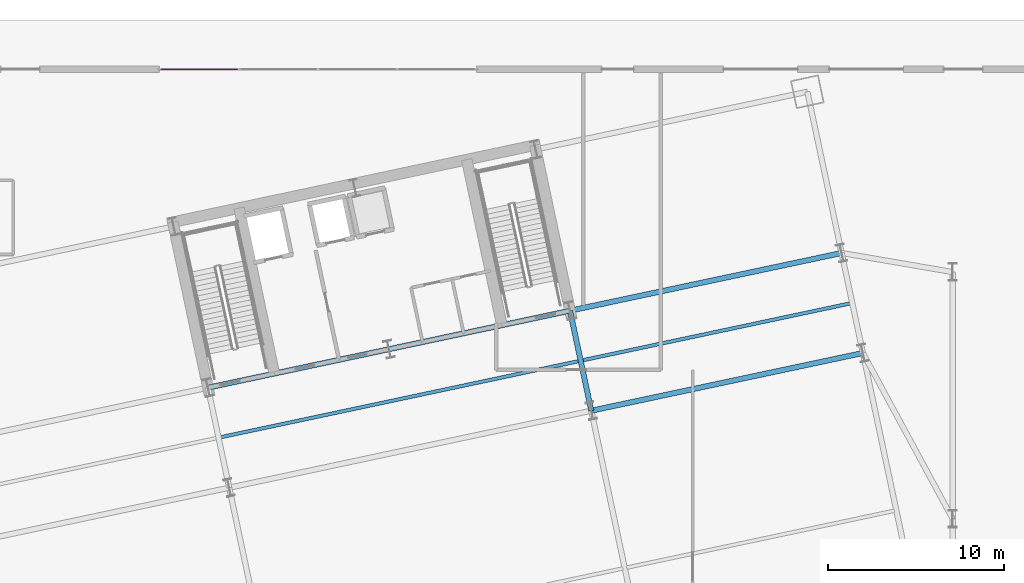
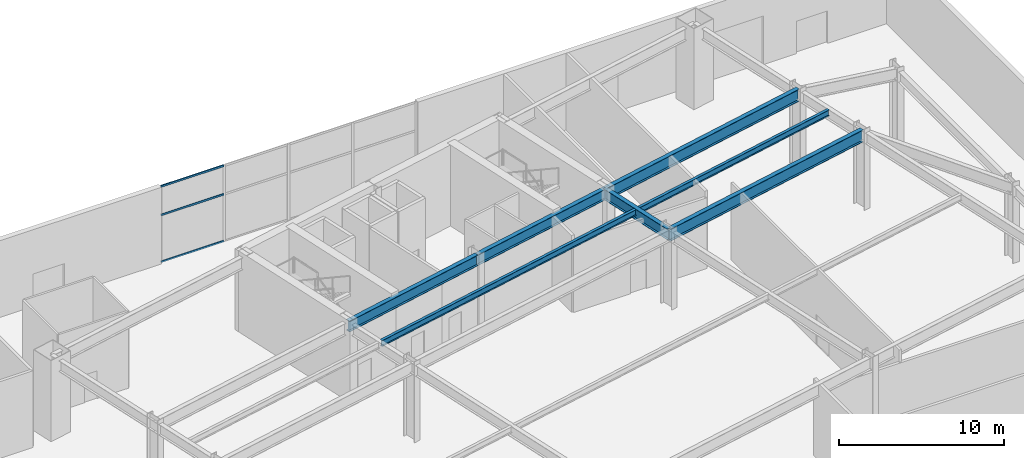
# One storey, part 16 of 30: 7 beams, 3 members, 1 element without a shape of its own.
"""IFC4 building model written with IfcOpenShell, lengths in metres."""

from ifc_helpers import new_model, si_unit, direction, frame, origin, origin_2d, place, context, subcontext, project, spatial, hollow_rectangle, i_section, extrude, material, layer, layer_set, material_profile, profile_set, type_object, element, aggregate, save


model = new_model("IFC4")

# Units and contexts
model_context = context("Model", 3, precision=1e-05, world=origin(), true_north=direction((0.0, 1.0)))
body_context = subcontext(model_context, "Body", "Model", "MODEL_VIEW")
ifc_project = project(units=[si_unit("LENGTHUNIT", "METRE"), si_unit("AREAUNIT", "SQUARE_METRE"), si_unit("VOLUMEUNIT", "CUBIC_METRE"), si_unit("PLANEANGLEUNIT", "RADIAN"), si_unit("MASSUNIT", "GRAM", prefix="KILO")], contexts=[model_context])

# Site, building, storey
site_placement = place(None, origin())
site = spatial("IfcSite", under=ifc_project, at=site_placement, CompositionType="ELEMENT")
building_placement = place(site_placement, origin())
building = spatial("IfcBuilding", under=site, at=building_placement, Name="Haevon Station Towers", CompositionType="ELEMENT")
storey_placement = place(building_placement, origin())
storey = spatial("IfcBuildingStorey", under=building, at=storey_placement, Name="L00", CompositionType="ELEMENT", Elevation=0.0)

# Beams
ifc_material_1 = material(Name="Steel S355", Category="steel")
ifc_material_profile_1 = material_profile(ifc_material_1, i_section(OverallWidth=0.199951171875, OverallDepth=0.449951171875, WebThickness=0.009033203125, FlangeThickness=0.013916015625, at=origin_2d()), Name="H-450x200x9x14")
ifc_profile_set_1 = profile_set([ifc_material_profile_1], Name="Steel S355")
beam_type_1 = type_object("IfcBeamType", Name="BM-J450", PredefinedType="JOIST", material=ifc_profile_set_1)
beam_1_placement = place(storey_placement, frame((99.462890625, 34.628662109375, 5.47509765625), z_axis=(0.978148548197, 0.207907233306, 0.0), x_axis=(-0.207907233306, 0.978148548197, 0.0)))
element("IfcBeam", 1, at=beam_1_placement, inside=storey, type_object=beam_type_1, Name="BM-T2J-L00-02-02", PredefinedType="JOIST", context=body_context, shape_type="SweptSolid", body=[
    extrude(i_section(OverallWidth=0.199951171875, OverallDepth=0.449951171875, WebThickness=0.009033203125, FlangeThickness=0.013916015625, at=origin_2d()), origin(), (0.0, 0.0, 1.0), 20.780029296875),
])
beam_2_placement = place(storey_placement, frame((120.00390625, 38.994873046875, 5.47509765625), z_axis=(0.978149141128, 0.207904443699, 0.0), x_axis=(-0.207904443699, 0.978149141128, 0.0)))
element("IfcBeam", 2, at=beam_2_placement, inside=storey, type_object=beam_type_1, Name="BM-T2J-L00-02-03", PredefinedType="JOIST", context=body_context, shape_type="SweptSolid", body=[
    extrude(i_section(OverallWidth=0.199951171875, OverallDepth=0.449951171875, WebThickness=0.009033203125, FlangeThickness=0.013916015625, at=origin_2d()), origin(), (0.0, 0.0, 1.0), 15.530029296875),
])
ifc_material_profile_2 = material_profile(ifc_material_1, i_section(OverallWidth=0.300048828125, OverallDepth=0.800048828125, WebThickness=0.013916015625, FlangeThickness=0.02587890625, at=origin_2d()), Name="H-800x300x14x26")
ifc_profile_set_2 = profile_set([ifc_material_profile_2], Name="Steel S355")
beam_type_2 = type_object("IfcBeamType", Name="BM-PG800", PredefinedType="BEAM", material=ifc_profile_set_2)
for number, where, z_axis, x_axis, name in (
    (3, (98.75244140625, 37.4423828125, 5.300048828125), (0.978146794194, 0.207915485254, 0.0), (-0.207915485254, 0.978146794194, 0.0), "BM-T2U-L00-03-02"),
    (4, (109.02294921875, 39.62548828125, 5.300048828125), (0.978146794194, 0.207915485254, 0.0), (-0.207915485254, 0.978146794194, 0.0), "BM-T2U-L00-03-03"),
):
    element("IfcBeam", number, at=place(storey_placement, frame(where, z_axis=z_axis, x_axis=x_axis)), inside=storey, type_object=beam_type_2, Name=name, PredefinedType="BEAM", context=body_context, shape_type="SweptSolid", body=[
        extrude(i_section(OverallWidth=0.300048828125, OverallDepth=0.800048828125, WebThickness=0.013916015625, FlangeThickness=0.02587890625, at=origin_2d()), origin(), (0.0, 0.0, 1.0), 10.5),
    ])
beam_3_placement = place(storey_placement, frame((120.499267578125, 36.13525390625, 5.300048828125), z_axis=(-0.207896009217, 0.97815093383, 0.0), x_axis=(-0.97815093383, -0.207896009217, 0.0)))
element("IfcBeam", 5, at=beam_3_placement, inside=storey, type_object=beam_type_2, Name="BM-T2V-L00-04-02", PredefinedType="BEAM", context=body_context, shape_type="SweptSolid", body=[
    extrude(i_section(OverallWidth=0.300048828125, OverallDepth=0.800048828125, WebThickness=0.013916015625, FlangeThickness=0.02587890625, at=origin_2d()), origin(), (0.0, 0.0, 1.0), 5.800048828125),
])
ifc_material_profile_3 = material_profile(ifc_material_1, i_section(OverallWidth=0.300048828125, OverallDepth=0.89990234375, WebThickness=0.01611328125, FlangeThickness=0.028076171875, at=origin_2d()), Name="H-900x300x16x28")
ifc_profile_set_3 = profile_set([ifc_material_profile_3], Name="Steel S355")
beam_type_3 = type_object("IfcBeamType", Name="BM-PG900", PredefinedType="BEAM", material=ifc_profile_set_3)
beam_4_placement = place(storey_placement, frame((120.499267578125, 36.13525390625, 5.25), z_axis=(0.978147464271, 0.207912332825, 0.0), x_axis=(-0.207912332825, 0.978147464271, 0.0)))
element("IfcBeam", 6, at=beam_4_placement, inside=storey, type_object=beam_type_3, Name="BM-T2U-L00-02-04", PredefinedType="BEAM", context=body_context, shape_type="SweptSolid", body=[
    extrude(i_section(OverallWidth=0.300048828125, OverallDepth=0.89990234375, WebThickness=0.01611328125, FlangeThickness=0.028076171875, at=origin_2d()), origin(), (0.0, 0.0, 1.0), 15.750244140625),
])
beam_5_placement = place(storey_placement, frame((119.29345703125, 41.80859375, 5.25), z_axis=(0.978146794194, 0.207915485254, 0.0), x_axis=(-0.207915485254, 0.978146794194, 0.0)))
element("IfcBeam", 7, at=beam_5_placement, inside=storey, type_object=beam_type_3, Name="BM-T2U-L00-03-04", PredefinedType="BEAM", context=body_context, shape_type="SweptSolid", body=[
    extrude(i_section(OverallWidth=0.300048828125, OverallDepth=0.89990234375, WebThickness=0.01611328125, FlangeThickness=0.028076171875, at=origin_2d()), origin(), (0.0, 0.0, 1.0), 15.75),
])

# Curtain wall, members
ifc_material_2 = material(Name="Anodised aluminium and Low-E double glazing", Category="aluminium")
ifc_layer = layer(ifc_material_2, 0.179931640625)
ifc_layer_set = layer_set([ifc_layer], Name="Anodised aluminium and Low-E double glazing")
curtain_wall_type = type_object("IfcCurtainWallType", Name="CW-SYS1", PredefinedType="NOTDEFINED", material=ifc_layer_set)
curtain_wall_placement = place(storey_placement, origin())
curtain_wall = element("IfcCurtainWall", 8, at=curtain_wall_placement, inside=storey, type_object=curtain_wall_type, Name="L00 Curtain Wall CW-POD-L00-N2", PredefinedType="NOTDEFINED")
ifc_material_3 = material(Name="Anodised aluminium 6063-T6", Category="aluminium")
ifc_material_profile_4 = material_profile(ifc_material_3, hollow_rectangle(XDim=0.06494140625, YDim=0.139892578125, WallThickness=0.00341796875, at=origin_2d()), Name="CWT-140x65x3.5")
ifc_profile_set_4 = profile_set([ifc_material_profile_4], Name="Anodised aluminium 6063-T6")
member_type = type_object("IfcMemberType", Name="CWT-140", PredefinedType="USERDEFINED", material=ifc_profile_set_4)
member_1_placement = place(storey_placement, frame((96.06494140625, 55.5, 0.032470703125), z_axis=(1.0, 0.0, 0.0), x_axis=(0.0, 1.0, 0.0)))
member_1 = element("IfcMember", 9, at=member_1_placement, type_object=member_type, Name="CW-SYS1 transom 1.1", ObjectType="TRANSOM", PredefinedType="USERDEFINED", context=body_context, shape_type="SweptSolid", body=[
    extrude(hollow_rectangle(XDim=0.06494140625, YDim=0.139892578125, WallThickness=0.00341796875, at=origin_2d()), origin(), (0.0, 0.0, 1.0), 4.402587890625),
])
member_2_placement = place(storey_placement, frame((96.06494140625, 55.5, 3.5029296875), z_axis=(1.0, 0.0, 0.0), x_axis=(0.0, 1.0, 0.0)))
member_2 = element("IfcMember", 10, at=member_2_placement, type_object=member_type, Name="CW-SYS1 transom 1.2", ObjectType="TRANSOM", PredefinedType="USERDEFINED", context=body_context, shape_type="SweptSolid", body=[
    extrude(hollow_rectangle(XDim=0.06494140625, YDim=0.139892578125, WallThickness=0.00341796875, at=origin_2d()), origin(), (0.0, 0.0, 1.0), 4.402587890625),
])
member_3_placement = place(storey_placement, frame((96.06494140625, 55.5, 5.617431640625), z_axis=(1.0, 0.0, 0.0), x_axis=(0.0, 1.0, 0.0)))
member_3 = element("IfcMember", 11, at=member_3_placement, type_object=member_type, Name="CW-SYS1 transom 1.3", ObjectType="TRANSOM", PredefinedType="USERDEFINED", context=body_context, shape_type="SweptSolid", body=[
    extrude(hollow_rectangle(XDim=0.06494140625, YDim=0.139892578125, WallThickness=0.00341796875, at=origin_2d()), origin(), (0.0, 0.0, 1.0), 4.402587890625),
])
aggregate(curtain_wall, [member_1, member_2, member_3])

save(model, "model.ifc")
